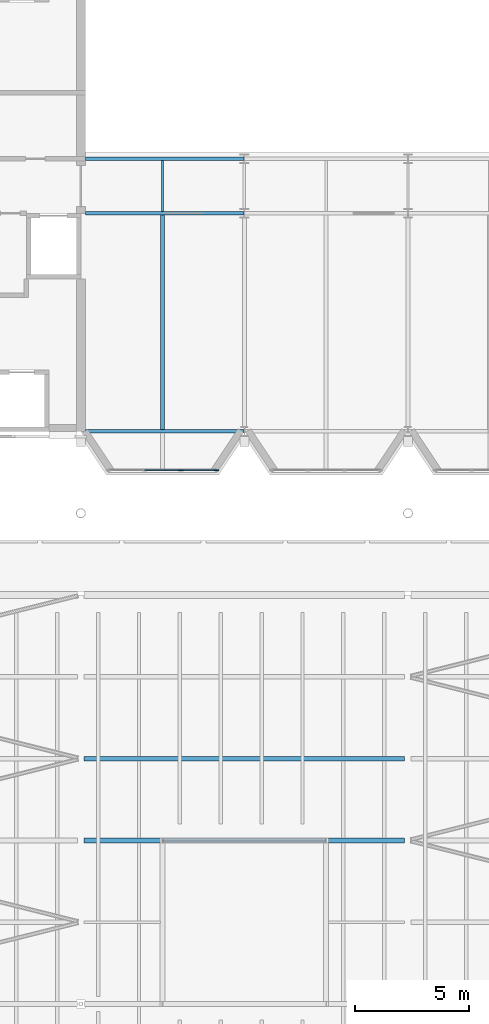
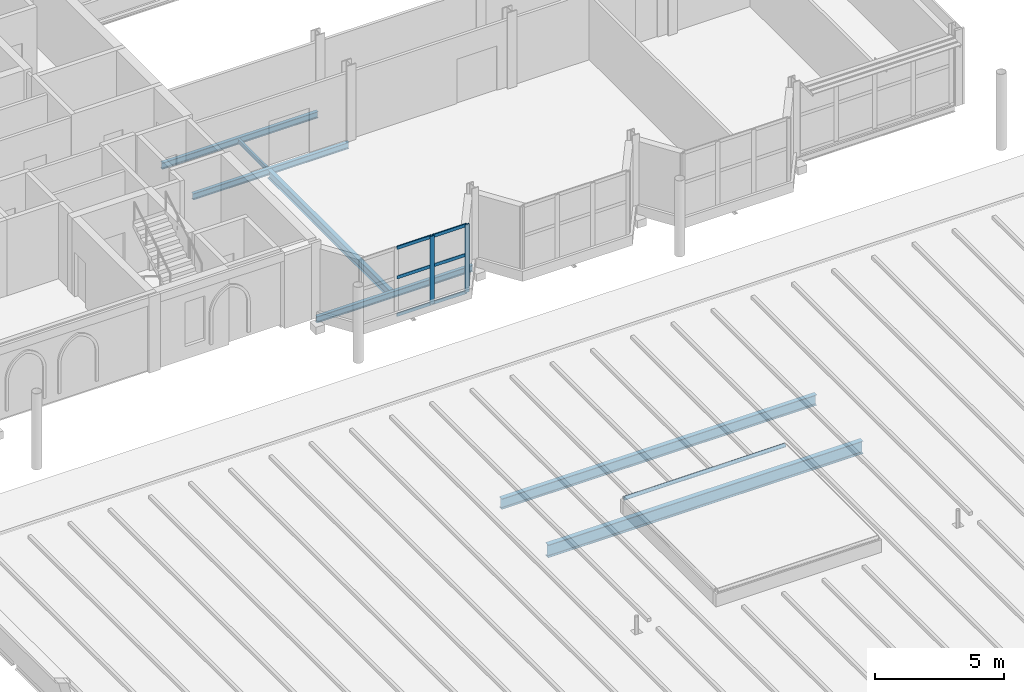
# One storey, part 36 of 120: 9 members, 7 beams, 1 element without a shape of its own.
"""IFC4 building model written with IfcOpenShell, lengths in metres."""

from ifc_helpers import new_model, si_unit, direction, frame, origin, origin_2d, place, context, subcontext, project, spatial, rectangle, hollow_circle, i_section, extrude, material, material_profile, profile_set, type_object, element, aggregate, save


model = new_model("IFC4")

# Units and contexts
model_context = context("Model", 3, precision=1e-05, world=origin(), true_north=direction((0.0, 1.0)))
body_context = subcontext(model_context, "Body", "Model", "MODEL_VIEW")
ifc_project = project(units=[si_unit("LENGTHUNIT", "METRE"), si_unit("AREAUNIT", "SQUARE_METRE"), si_unit("VOLUMEUNIT", "CUBIC_METRE"), si_unit("PLANEANGLEUNIT", "RADIAN"), si_unit("MASSUNIT", "GRAM", prefix="KILO")], contexts=[model_context])

# Site, building, storey
site_placement = place(None, origin())
site = spatial("IfcSite", under=ifc_project, at=site_placement, CompositionType="ELEMENT")
building_placement = place(site_placement, origin())
building = spatial("IfcBuilding", under=site, at=building_placement, Name="Kupolbacken Congress Centre", CompositionType="ELEMENT")
storey_placement = place(building_placement, frame((0.0, 0.0, 21.60009765625)))
storey = spatial("IfcBuildingStorey", under=building, at=storey_placement, Name="L06", CompositionType="ELEMENT", Elevation=21.60009765625)

# Beams
ifc_material_1 = material(Name="Steel S355", Category="steel")
ifc_material_profile_1 = material_profile(ifc_material_1, i_section(OverallWidth=0.10009765625, OverallDepth=0.199951171875, WebThickness=0.005615234375, FlangeThickness=0.008544921875, FilletRadius=0.011962890625, at=origin_2d()), Name="IPE 200")
ifc_profile_set_1 = profile_set([ifc_material_profile_1], Name="Steel S355")
beam_type_1 = type_object("IfcBeamType", Name="B01 beam IPE 200", PredefinedType="BEAM", material=ifc_profile_set_1)
beam_1_placement = place(storey_placement, frame((111.60009765625, 132.074951171875, -0.239990234375), z_axis=(0.0, 1.0, 0.0), x_axis=(-1.0, 0.0, 0.0)))
element("IfcBeam", 1, at=beam_1_placement, inside=storey, type_object=beam_type_1, Name="S/floor/T/L06/S058", PredefinedType="BEAM", context=body_context, shape_type="SweptSolid", body=[
    extrude(i_section(OverallWidth=0.10009765625, OverallDepth=0.199951171875, WebThickness=0.005615234375, FlangeThickness=0.008544921875, FilletRadius=0.011962890625, at=origin_2d()), origin(), (0.0, 0.0, 1.0), 2.25),
])
ifc_material_2 = material(Name="Steel S355", Category="steel")
ifc_material_profile_2 = material_profile(ifc_material_2, i_section(OverallWidth=0.14990234375, OverallDepth=0.300048828125, WebThickness=0.007080078125, FlangeThickness=0.0107421875, FilletRadius=0.014892578125, at=origin_2d()), Name="IPE 300")
ifc_profile_set_2 = profile_set([ifc_material_profile_2], Name="Steel S355")
beam_type_2 = type_object("IfcBeamType", Name="B04 beam IPE 300", PredefinedType="BEAM", material=ifc_profile_set_2)
beam_2_placement = place(storey_placement, frame((108.199951171875, 122.39990234375, -0.2900390625), z_axis=(1.0, 0.0, 0.0), x_axis=(0.0, 1.0, 0.0)))
element("IfcBeam", 2, at=beam_2_placement, inside=storey, type_object=beam_type_2, Name="S/floor/T/L06/R005", PredefinedType="BEAM", context=body_context, shape_type="SweptSolid", body=[
    extrude(i_section(OverallWidth=0.14990234375, OverallDepth=0.300048828125, WebThickness=0.007080078125, FlangeThickness=0.0107421875, FilletRadius=0.014892578125, at=origin_2d()), origin(), (0.0, 0.0, 1.0), 6.989501953125),
])
for number, where, z_axis, x_axis, name in (
    (3, (108.199951171875, 132.0, -0.2900390625), (1.0, 0.0, 0.0), (0.0, 1.0, 0.0), "S/floor/T/L06/R013"),
    (4, (108.199951171875, 134.39990234375, -0.2900390625), (1.0, 0.0, 0.0), (0.0, 1.0, 0.0), "S/floor/T/L06/R021"),
):
    element("IfcBeam", number, at=place(storey_placement, frame(where, z_axis=z_axis, x_axis=x_axis)), inside=storey, type_object=beam_type_2, Name=name, PredefinedType="BEAM", context=body_context, shape_type="SweptSolid", body=[
        extrude(i_section(OverallWidth=0.14990234375, OverallDepth=0.300048828125, WebThickness=0.007080078125, FlangeThickness=0.0107421875, FilletRadius=0.014892578125, at=origin_2d()), origin(), (0.0, 0.0, 1.0), 6.983642578125),
    ])
ifc_material_3 = material(Name="Steel S355", Category="steel")
ifc_material_profile_3 = material_profile(ifc_material_3, i_section(OverallWidth=0.179931640625, OverallDepth=0.39990234375, WebThickness=0.008544921875, FlangeThickness=0.013427734375, FilletRadius=0.02099609375, at=origin_2d()), Name="IPE 400")
ifc_profile_set_3 = profile_set([ifc_material_profile_3], Name="Steel S355")
beam_type_3 = type_object("IfcBeamType", Name="B07 beam IPE 400", PredefinedType="BEAM", material=ifc_profile_set_3)
beam_3_placement = place(storey_placement, frame((111.60009765625, 122.47509765625, -0.340087890625), z_axis=(0.0, 1.0, 0.0), x_axis=(-1.0, 0.0, 0.0)))
element("IfcBeam", 5, at=beam_3_placement, inside=storey, type_object=beam_type_3, Name="S/floor/T/L06/S057", PredefinedType="BEAM", context=body_context, shape_type="SweptSolid", body=[
    extrude(i_section(OverallWidth=0.179931640625, OverallDepth=0.39990234375, WebThickness=0.008544921875, FlangeThickness=0.013427734375, FilletRadius=0.02099609375, at=origin_2d()), origin(), (0.0, 0.0, 1.0), 9.449951171875),
])
ifc_material_4 = material(Name="Steel S355", Category="steel")
ifc_material_profile_4 = material_profile(ifc_material_4, i_section(OverallWidth=0.199951171875, OverallDepth=0.5, WebThickness=0.01025390625, FlangeThickness=0.01611328125, FilletRadius=0.02099609375, at=origin_2d()), Name="IPE 500")
ifc_profile_set_4 = profile_set([ifc_material_profile_4], Name="Steel S355")
beam_type_4 = type_object("IfcBeamType", Name="B09 beam IPE 500", PredefinedType="BEAM", material=ifc_profile_set_4)
beam_4_placement = place(storey_placement, frame((108.14501953125, 108.0, -0.25), z_axis=(1.0, 0.0, 0.0), x_axis=(0.0, 1.0, 0.0)))
element("IfcBeam", 6, at=beam_4_placement, inside=storey, type_object=beam_type_4, Name="HR/P18-02", PredefinedType="BEAM", context=body_context, shape_type="SweptSolid", body=[
    extrude(i_section(OverallWidth=0.199951171875, OverallDepth=0.5, WebThickness=0.01025390625, FlangeThickness=0.01611328125, FilletRadius=0.02099609375, at=origin_2d()), origin(), (0.0, 0.0, 1.0), 14.10986328125),
])
ifc_material_5 = material(Name="Steel S355", Category="steel")
ifc_material_profile_5 = material_profile(ifc_material_5, i_section(OverallWidth=0.219970703125, OverallDepth=0.60009765625, WebThickness=0.011962890625, FlangeThickness=0.01904296875, FilletRadius=0.02392578125, at=origin_2d()), Name="IPE 600")
ifc_profile_set_5 = profile_set([ifc_material_profile_5], Name="Steel S355")
beam_type_5 = type_object("IfcBeamType", Name="B11 beam IPE 600", PredefinedType="BEAM", material=ifc_profile_set_5)
beam_5_placement = place(storey_placement, frame((108.14501953125, 104.39990234375, -0.300048828125), z_axis=(1.0, 0.0, 0.0), x_axis=(0.0, 1.0, 0.0)))
element("IfcBeam", 7, at=beam_5_placement, inside=storey, type_object=beam_type_5, Name="HR/X17-02", PredefinedType="BEAM", context=body_context, shape_type="SweptSolid", body=[
    extrude(i_section(OverallWidth=0.219970703125, OverallDepth=0.60009765625, WebThickness=0.011962890625, FlangeThickness=0.01904296875, FilletRadius=0.02392578125, at=origin_2d()), origin(), (0.0, 0.0, 1.0), 14.10986328125),
])

# Member
ifc_material_6 = material(Name="Steel S355", Category="steel")
ifc_material_profile_6 = material_profile(ifc_material_6, hollow_circle(Radius=0.084228515625, WallThickness=0.008056640625, at=origin_2d()), Name="CHS 168.3 x 8")
ifc_profile_set_6 = profile_set([ifc_material_profile_6], Name="Steel S355")
member_type_1 = type_object("IfcMemberType", Name="M21 brace CHS 168.3 x 8", PredefinedType="BRACE", material=ifc_profile_set_6)
member_1_placement = place(storey_placement, frame((111.60009765625, 104.39990234375, 0.944091796875), z_axis=(1.0, 0.0, 0.0), x_axis=(0.0, 1.0, 0.0)))
element("IfcMember", 8, at=member_1_placement, inside=storey, type_object=member_type_1, Name="RD/RL3/FN", PredefinedType="BRACE", context=body_context, shape_type="SweptSolid", body=[
    extrude(hollow_circle(Radius=0.084228515625, WallThickness=0.008056640625, at=origin_2d()), origin(), (0.0, 0.0, 1.0), 7.199951171875),
])

# Curtain wall, members
ifc_material_7 = material(Name="Aluminium mullion-transom frame with glass", Category="aluminium")
curtain_wall_type = type_object("IfcCurtainWallType", Name="CW1 curtain wall 7200x3600", PredefinedType="NOTDEFINED", material=ifc_material_7)
curtain_wall_placement = place(storey_placement, origin())
curtain_wall = element("IfcCurtainWall", 9, at=curtain_wall_placement, inside=storey, type_object=curtain_wall_type, Name="E/T/cumba/L06/S/014/cw", PredefinedType="NOTDEFINED")
ifc_material_8 = material(Name="Aluminium alloy", Category="aluminium")
ifc_material_profile_7 = material_profile(ifc_material_8, rectangle(XDim=0.050048828125, YDim=0.199951171875, at=origin_2d()), Name="50 x 200")
ifc_profile_set_7 = profile_set([ifc_material_profile_7], Name="Aluminium alloy")
member_type_2 = type_object("IfcMemberType", Name="MU2 mullion 50x200", PredefinedType="MULLION", material=ifc_profile_set_7)
member_2_placement = place(storey_placement, frame((112.39990234375, 120.699951171875, 0.0), z_axis=(0.0, 0.0, 1.0), x_axis=(0.0, 1.0, 0.0)))
member_2 = element("IfcMember", 10, at=member_2_placement, type_object=member_type_2, Name="CW1 mullion 3", PredefinedType="MULLION", context=body_context, shape_type="SweptSolid", body=[
    extrude(rectangle(XDim=0.050048828125, YDim=0.199951171875, at=origin_2d()), origin(), (0.0, 0.0, 1.0), 3.219970703125),
])
member_3_placement = place(storey_placement, frame((113.97509765625, 120.699951171875, 0.0), z_axis=(0.0, 0.0, 1.0), x_axis=(0.0, 1.0, 0.0)))
member_3 = element("IfcMember", 11, at=member_3_placement, type_object=member_type_2, Name="CW1 mullion 4", PredefinedType="MULLION", context=body_context, shape_type="SweptSolid", body=[
    extrude(rectangle(XDim=0.050048828125, YDim=0.199951171875, at=origin_2d()), origin(), (0.0, 0.0, 1.0), 3.219970703125),
])
ifc_material_9 = material(Name="Aluminium alloy", Category="aluminium")
ifc_material_profile_8 = material_profile(ifc_material_9, rectangle(XDim=0.050048828125, YDim=0.14990234375, at=origin_2d()), Name="50 x 150")
ifc_profile_set_8 = profile_set([ifc_material_profile_8], Name="Aluminium alloy")
member_type_3 = type_object("IfcMemberType", Name="TR2 transom 50x150", PredefinedType="MULLION", material=ifc_profile_set_8)
member_4_placement = place(storey_placement, frame((110.824951171875, 120.699951171875, 0.02490234375), z_axis=(1.0, 0.0, 0.0), x_axis=(0.0, 1.0, 0.0)))
member_4 = element("IfcMember", 12, at=member_4_placement, type_object=member_type_3, Name="CW1 transom 2.1", PredefinedType="MULLION", context=body_context, shape_type="SweptSolid", body=[
    extrude(rectangle(XDim=0.050048828125, YDim=0.14990234375, at=origin_2d()), origin(), (0.0, 0.0, 1.0), 1.550048828125),
])
member_5_placement = place(storey_placement, frame((110.824951171875, 120.699951171875, 1.7998046875), z_axis=(1.0, 0.0, 0.0), x_axis=(0.0, 1.0, 0.0)))
member_5 = element("IfcMember", 13, at=member_5_placement, type_object=member_type_3, Name="CW1 transom 2.2", PredefinedType="MULLION", context=body_context, shape_type="SweptSolid", body=[
    extrude(rectangle(XDim=0.050048828125, YDim=0.14990234375, at=origin_2d()), origin(), (0.0, 0.0, 1.0), 1.550048828125),
])
member_6_placement = place(storey_placement, frame((110.824951171875, 120.699951171875, 3.19482421875), z_axis=(1.0, 0.0, 0.0), x_axis=(0.0, 1.0, 0.0)))
member_6 = element("IfcMember", 14, at=member_6_placement, type_object=member_type_3, Name="CW1 transom 2.3", PredefinedType="MULLION", context=body_context, shape_type="SweptSolid", body=[
    extrude(rectangle(XDim=0.050048828125, YDim=0.14990234375, at=origin_2d()), origin(), (0.0, 0.0, 1.0), 1.550048828125),
])
member_7_placement = place(storey_placement, frame((112.425048828125, 120.699951171875, 0.02490234375), z_axis=(1.0, 0.0, 0.0), x_axis=(0.0, 1.0, 0.0)))
member_7 = element("IfcMember", 15, at=member_7_placement, type_object=member_type_3, Name="CW1 transom 3.1", PredefinedType="MULLION", context=body_context, shape_type="SweptSolid", body=[
    extrude(rectangle(XDim=0.050048828125, YDim=0.14990234375, at=origin_2d()), origin(), (0.0, 0.0, 1.0), 1.52490234375),
])
member_8_placement = place(storey_placement, frame((112.425048828125, 120.699951171875, 1.7998046875), z_axis=(1.0, 0.0, 0.0), x_axis=(0.0, 1.0, 0.0)))
member_8 = element("IfcMember", 16, at=member_8_placement, type_object=member_type_3, Name="CW1 transom 3.2", PredefinedType="MULLION", context=body_context, shape_type="SweptSolid", body=[
    extrude(rectangle(XDim=0.050048828125, YDim=0.14990234375, at=origin_2d()), origin(), (0.0, 0.0, 1.0), 1.52490234375),
])
member_9_placement = place(storey_placement, frame((112.425048828125, 120.699951171875, 3.19482421875), z_axis=(1.0, 0.0, 0.0), x_axis=(0.0, 1.0, 0.0)))
member_9 = element("IfcMember", 17, at=member_9_placement, type_object=member_type_3, Name="CW1 transom 3.3", PredefinedType="MULLION", context=body_context, shape_type="SweptSolid", body=[
    extrude(rectangle(XDim=0.050048828125, YDim=0.14990234375, at=origin_2d()), origin(), (0.0, 0.0, 1.0), 1.52490234375),
])
aggregate(curtain_wall, [member_2, member_3, member_4, member_5, member_6, member_7, member_8, member_9])

save(model, "model.ifc")
